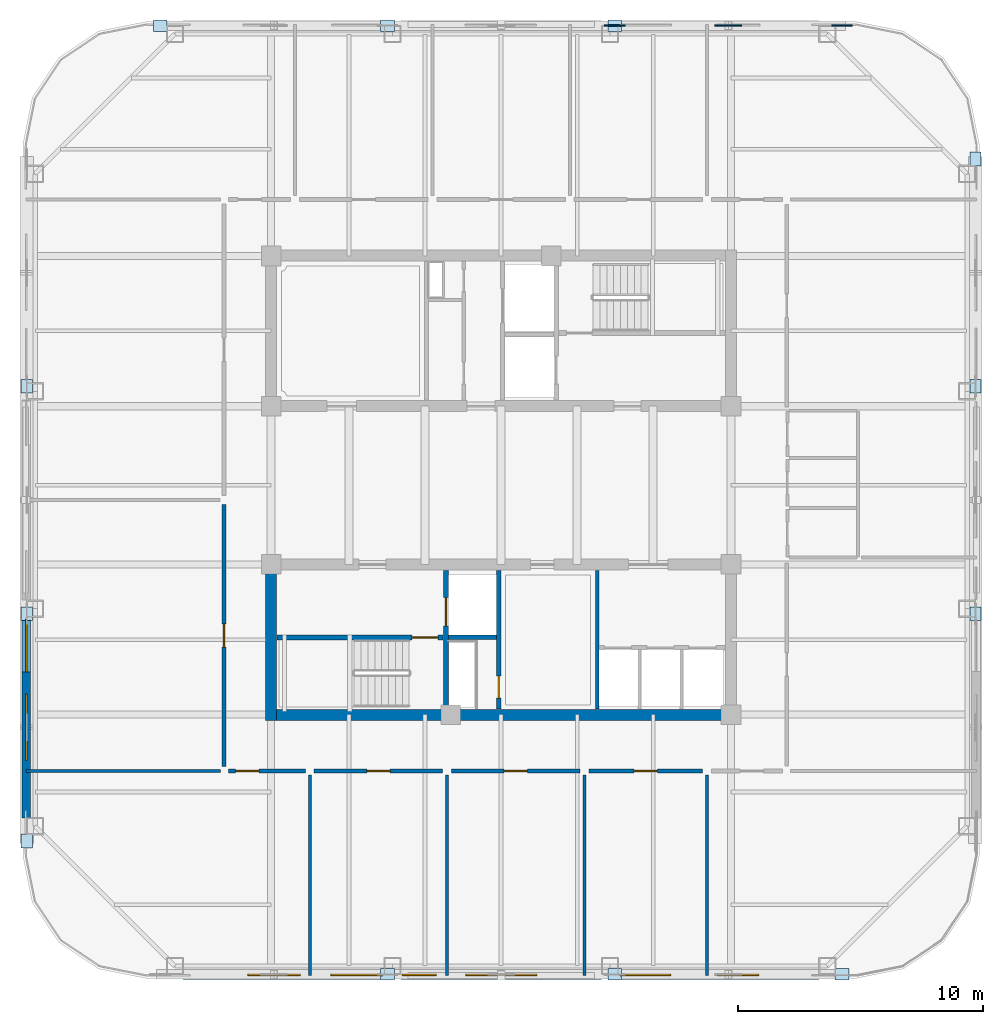
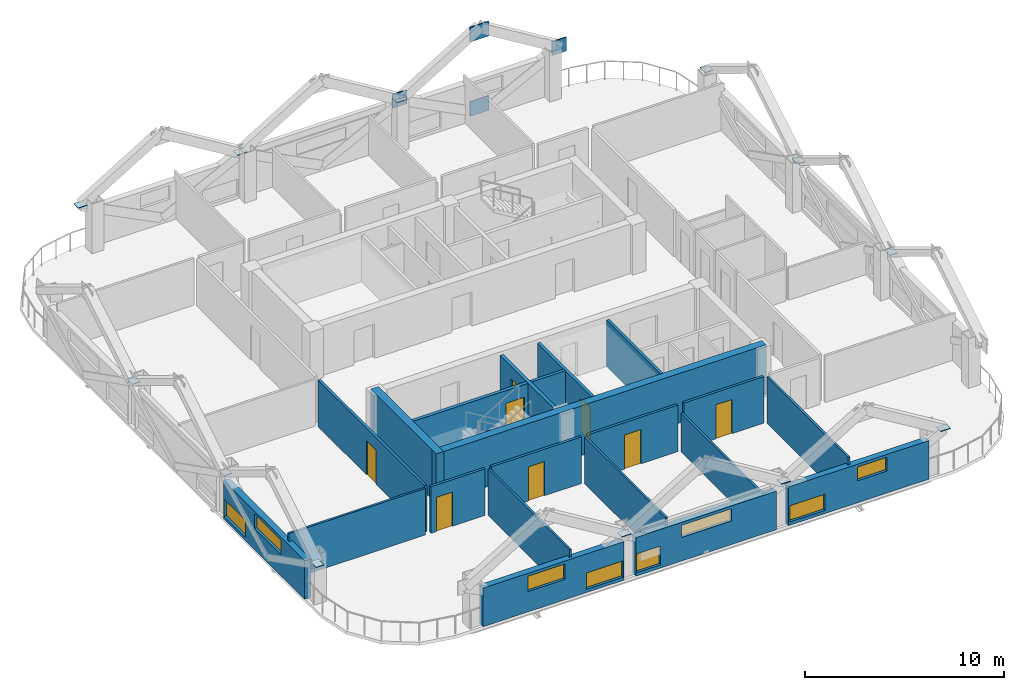
# One storey, part 3 of 9: 21 walls, 16 plates, 8 doors, 8 windows, 16 openings.
"""IFC4 building model written with IfcOpenShell, lengths in metres."""

from ifc_helpers import new_model, si_unit, direction, frame, frame_2d, origin, origin_2d, place, context, subcontext, project, spatial, rectangle, extrude, material, layer, layer_set, type_object, element, fill, save


model = new_model("IFC4")

# Units and contexts
model_context = context("Model", 3, precision=1e-05, world=origin(), true_north=direction((0.0, 1.0)))
body_context = subcontext(model_context, "Body", "Model", "MODEL_VIEW")
ifc_project = project(units=[si_unit("LENGTHUNIT", "METRE"), si_unit("AREAUNIT", "SQUARE_METRE"), si_unit("VOLUMEUNIT", "CUBIC_METRE"), si_unit("PLANEANGLEUNIT", "RADIAN"), si_unit("MASSUNIT", "GRAM", prefix="KILO")], contexts=[model_context])

# Site, building, storey
site_placement = place(None, origin())
site = spatial("IfcSite", under=ifc_project, at=site_placement, CompositionType="ELEMENT")
building_placement = place(site_placement, origin())
building = spatial("IfcBuilding", under=site, at=building_placement, Name="Qhalaya Broadcast Tower", CompositionType="ELEMENT")
storey_placement = place(building_placement, frame((0.0, 0.0, 211.699951171875)))
storey = spatial("IfcBuildingStorey", under=building, at=storey_placement, Name="L62", CompositionType="ELEMENT", Elevation=211.699951171875)

# Plates
ifc_material_1 = material(Name="Structural Steel ASTM A572 Grade 50", Category="steel")
ifc_layer_1 = layer(ifc_material_1, 0.054931640625, Name="Structural Steel ASTM A572 Grade 50")
ifc_layer_set_1 = layer_set([ifc_layer_1], Name="Structural Steel ASTM A572 Grade 50")
plate_type_1 = type_object("IfcPlateType", Name="Exoskeleton Diamond Node Gusset Plate NP-01", PredefinedType="USERDEFINED", material=ifc_layer_set_1)
for number, where, z_axis, x_axis, name in (
    (1, (9.2666015625, 19.340087890625, 0.210205078125), (0.0, 0.0, 1.0), (1.0, 0.0, 0.0), "Exoskeleton Diamond Node B5-N1-BOT"),
    (2, (9.2666015625, 19.340087890625, 4.780029296875), (0.0, 0.0, 1.0), (1.0, 0.0, 0.0), "Exoskeleton Diamond Node B5-N1-TOP"),
):
    element("IfcPlate", number, at=place(storey_placement, frame(where, z_axis=z_axis, x_axis=x_axis)), inside=storey, type_object=plate_type_1, Name=name, ObjectType="GUSSET_PLATE", PredefinedType="USERDEFINED", context=body_context, shape_type="SweptSolid", body=[
        extrude(rectangle(XDim=1.10009765625, YDim=0.054931640625, at=origin_2d()), origin(), (0.0, 0.0, 1.0), 0.89990234375),
    ])
for number, where, z_axis, x_axis, name in (
    (3, (13.89990234375, 19.340087890625, 2.280029296875), (0.0, 0.0, 1.0), (1.0, 0.0, 0.0), "Exoskeleton Diamond Node B5-N1-MDL"),
    (4, (4.63330078125, 19.340087890625, 2.280029296875), (0.0, 0.0, 1.0), (1.0, 0.0, 0.0), "Exoskeleton Diamond Node B5-N2-MDL"),
):
    element("IfcPlate", number, at=place(storey_placement, frame(where, z_axis=z_axis, x_axis=x_axis)), inside=storey, type_object=plate_type_1, Name=name, ObjectType="GUSSET_PLATE", PredefinedType="USERDEFINED", context=body_context, shape_type="SweptSolid", body=[
        extrude(rectangle(XDim=0.85009765625, YDim=0.054931640625, at=origin_2d()), origin(), (0.0, 0.0, 1.0), 0.85009765625),
    ])
ifc_layer_2 = layer(ifc_material_1, 0.4599609375, Name="Structural Steel ASTM A572 Grade 50")
ifc_layer_set_2 = layer_set([ifc_layer_2], Name="Structural Steel ASTM A572 Grade 50")
plate_type_2 = type_object("IfcPlateType", Name="Hollow Box Member End Cap Plate CP-01", PredefinedType="USERDEFINED", material=ifc_layer_set_2)
for number, where, z_axis, x_axis, name in (
    (5, (-4.63330078125, -19.340087890625, 2.68896484375), (0.0, 0.0, 1.0), (1.0, 0.0, 0.0), "Exoskeleton Hollow End Cap B5-S1"),
    (6, (4.63330078125, -19.340087890625, 2.68896484375), (0.0, 0.0, 1.0), (1.0, 0.0, 0.0), "Exoskeleton Hollow End Cap B5-S2"),
    (7, (13.89990234375, -19.340087890625, 2.68896484375), (0.0, 0.0, 1.0), (1.0, 0.0, 0.0), "Exoskeleton Hollow End Cap B5-S3"),
    (8, (19.340087890625, -4.63330078125, 2.68896484375), (0.0, 0.0, 1.0), (0.0, 1.0, 0.0), "Exoskeleton Hollow End Cap B5-E1"),
    (9, (19.340087890625, 4.63330078125, 2.68896484375), (0.0, 0.0, 1.0), (0.0, 1.0, 0.0), "Exoskeleton Hollow End Cap B5-E2"),
    (10, (19.340087890625, 13.89990234375, 2.68896484375), (0.0, 0.0, 1.0), (0.0, 1.0, 0.0), "Exoskeleton Hollow End Cap B5-E3"),
    (11, (4.63330078125, 19.340087890625, 2.68896484375), (0.0, 0.0, 1.0), (1.0, 0.0, 0.0), "Exoskeleton Hollow End Cap B5-N1"),
    (12, (-4.63330078125, 19.340087890625, 2.68896484375), (0.0, 0.0, 1.0), (1.0, 0.0, 0.0), "Exoskeleton Hollow End Cap B5-N2"),
    (13, (-13.89990234375, 19.340087890625, 2.68896484375), (0.0, 0.0, 1.0), (1.0, 0.0, 0.0), "Exoskeleton Hollow End Cap B5-N3"),
    (14, (-19.340087890625, 4.63330078125, 2.68896484375), (0.0, 0.0, 1.0), (0.0, 1.0, 0.0), "Exoskeleton Hollow End Cap B5-W1"),
    (15, (-19.340087890625, -4.63330078125, 2.68896484375), (0.0, 0.0, 1.0), (0.0, 1.0, 0.0), "Exoskeleton Hollow End Cap B5-W2"),
    (16, (-19.340087890625, -13.89990234375, 2.68896484375), (0.0, 0.0, 1.0), (0.0, 1.0, 0.0), "Exoskeleton Hollow End Cap B5-W3"),
):
    element("IfcPlate", number, at=place(storey_placement, frame(where, z_axis=z_axis, x_axis=x_axis)), inside=storey, type_object=plate_type_2, Name=name, ObjectType="COVER_PLATE", PredefinedType="USERDEFINED", context=body_context, shape_type="SweptSolid", body=[
        extrude(rectangle(XDim=0.56005859375, YDim=0.4599609375, at=origin_2d()), origin(), (0.0, 0.0, 1.0), 0.031982421875),
    ])

# Wall
ifc_material_2 = material(Name="Gypsum Acoustic Partition")
ifc_layer_3 = layer(ifc_material_2, 0.14990234375, Name="Gypsum Acoustic Partition")
ifc_layer_set_3 = layer_set([ifc_layer_3], Name="Gypsum Acoustic Partition")
wall_type_1 = type_object("IfcWallType", Name="Corridor & Tenancy Acoustic Partition 150", PredefinedType="PARTITIONING", material=ifc_layer_set_3)
wall_1_placement = place(storey_placement, frame((3.919921875, -8.530029296875, 0.0), z_axis=(0.0, 0.0, 1.0), x_axis=(0.0, 1.0, 0.0)))
element("IfcWall", 17, at=wall_1_placement, inside=storey, type_object=wall_type_1, Name="L62 Partition Wall SCW-HSEP", PredefinedType="PARTITIONING", context=body_context, shape_type="SweptSolid", body=[
    extrude(rectangle(XDim=5.659912109375, YDim=0.14990234375, at=frame_2d((2.830078125, 0.0))), origin(), (0.0, 0.0, 1.0), 2.860107421875),
])

# Wall, opening, door
wall_2_placement = place(storey_placement, frame((-11.1201171875, -11.050048828125, 0.0), z_axis=(0.0, 0.0, 1.0), x_axis=(1.0, 0.0, 0.0)))
wall_2 = element("IfcWall", 18, at=wall_2_placement, inside=storey, type_object=wall_type_1, Name="L62 Partition Wall W-COR-06", PredefinedType="PARTITIONING", context=body_context, shape_type="SweptSolid", body=[
    extrude(rectangle(XDim=3.14013671875, YDim=0.14990234375, at=frame_2d((1.570068359375, 0.0))), origin(), (0.0, 0.0, 1.0), 2.860107421875),
])
opening_1_placement = place(wall_2_placement, frame((0.294921875, 0.0, 0.0)))
opening_1 = element("IfcOpeningElement", 19, at=opening_1_placement, cuts=wall_2, Name="Opening D10", PredefinedType="OPENING", context=body_context, shape_type="SweptSolid", body=[
    extrude(rectangle(XDim=0.949951171875, YDim=2.10009765625, at=frame_2d((0.47509765625, 1.050048828125))), frame((0.0, 0.0869140625, 0.0), z_axis=(0.0, -1.0, 0.0), x_axis=(1.0, 0.0, 0.0)), (0.0, 0.0, 1.0), 0.173828125),
])
ifc_material_3 = material(Name="Timber Veneer Acoustic Door", Category="wood")
door_type_1 = type_object("IfcDoorType", Name="Cellular Office & Edit Booth Door D10", OperationType="NOTDEFINED", PredefinedType="DOOR", material=ifc_material_3)
door_1_placement = place(opening_1_placement, origin())
door_1 = element("IfcDoor", 20, at=door_1_placement, inside=storey, type_object=door_type_1, Name="L62 Door D-RM06", OperationType="SINGLE_SWING_LEFT", OverallHeight=2.10009765625, OverallWidth=0.949951171875, PredefinedType="DOOR", context=body_context, shape_type="SweptSolid", body=[
    extrude(rectangle(XDim=0.949951171875, YDim=2.10009765625, at=frame_2d((0.47509765625, 1.050048828125))), frame((0.0, 0.02490234375, 0.0), z_axis=(0.0, -1.0, 0.0), x_axis=(1.0, 0.0, 0.0)), (0.0, 0.0, 1.0), 0.050048828125),
])
fill(opening_1, door_1)

wall_3_placement = place(storey_placement, frame((-7.6201171875, -11.050048828125, 0.0), z_axis=(0.0, 0.0, 1.0), x_axis=(1.0, 0.0, 0.0)))
wall_3 = element("IfcWall", 21, at=wall_3_placement, inside=storey, type_object=wall_type_1, Name="L62 Partition Wall W-COR-07", PredefinedType="PARTITIONING", context=body_context, shape_type="SweptSolid", body=[
    extrude(rectangle(XDim=5.240234375, YDim=0.14990234375, at=frame_2d((2.6201171875, 0.0))), origin(), (0.0, 0.0, 1.0), 2.860107421875),
])
opening_2_placement = place(wall_3_placement, frame((2.14501953125, 0.0, 0.0)))
opening_2 = element("IfcOpeningElement", 22, at=opening_2_placement, cuts=wall_3, Name="Opening D10", PredefinedType="OPENING", context=body_context, shape_type="SweptSolid", body=[
    extrude(rectangle(XDim=0.949951171875, YDim=2.10009765625, at=frame_2d((0.47509765625, 1.050048828125))), frame((0.0, 0.0869140625, 0.0), z_axis=(0.0, -1.0, 0.0), x_axis=(1.0, 0.0, 0.0)), (0.0, 0.0, 1.0), 0.173828125),
])
door_2_placement = place(opening_2_placement, origin())
door_2 = element("IfcDoor", 23, at=door_2_placement, inside=storey, type_object=door_type_1, Name="L62 Door D-RM07", OperationType="SINGLE_SWING_RIGHT", OverallHeight=2.10009765625, OverallWidth=0.949951171875, PredefinedType="DOOR", context=body_context, shape_type="SweptSolid", body=[
    extrude(rectangle(XDim=0.949951171875, YDim=2.10009765625, at=frame_2d((0.47509765625, 1.050048828125))), frame((0.0, 0.02490234375, 0.0), z_axis=(0.0, -1.0, 0.0), x_axis=(1.0, 0.0, 0.0)), (0.0, 0.0, 1.0), 0.050048828125),
])
fill(opening_2, door_2)

wall_4_placement = place(storey_placement, frame((-2.02001953125, -11.050048828125, 0.0), z_axis=(0.0, 0.0, 1.0), x_axis=(1.0, 0.0, 0.0)))
wall_4 = element("IfcWall", 24, at=wall_4_placement, inside=storey, type_object=wall_type_1, Name="L62 Partition Wall W-COR-08", PredefinedType="PARTITIONING", context=body_context, shape_type="SweptSolid", body=[
    extrude(rectangle(XDim=5.239990234375, YDim=0.14990234375, at=frame_2d((2.6201171875, 0.0))), origin(), (0.0, 0.0, 1.0), 2.860107421875),
])
opening_3_placement = place(wall_4_placement, frame((2.14501953125, 0.0, 0.0)))
opening_3 = element("IfcOpeningElement", 25, at=opening_3_placement, cuts=wall_4, Name="Opening D10", PredefinedType="OPENING", context=body_context, shape_type="SweptSolid", body=[
    extrude(rectangle(XDim=0.949951171875, YDim=2.10009765625, at=frame_2d((0.47509765625, 1.050048828125))), frame((0.0, 0.0869140625, 0.0), z_axis=(0.0, -1.0, 0.0), x_axis=(1.0, 0.0, 0.0)), (0.0, 0.0, 1.0), 0.173828125),
])
door_3_placement = place(opening_3_placement, origin())
door_3 = element("IfcDoor", 26, at=door_3_placement, inside=storey, type_object=door_type_1, Name="L62 Door D-RM08", OperationType="SINGLE_SWING_LEFT", OverallHeight=2.10009765625, OverallWidth=0.949951171875, PredefinedType="DOOR", context=body_context, shape_type="SweptSolid", body=[
    extrude(rectangle(XDim=0.949951171875, YDim=2.10009765625, at=frame_2d((0.47509765625, 1.050048828125))), frame((0.0, 0.02490234375, 0.0), z_axis=(0.0, -1.0, 0.0), x_axis=(1.0, 0.0, 0.0)), (0.0, 0.0, 1.0), 0.050048828125),
])
fill(opening_3, door_3)

wall_5_placement = place(storey_placement, frame((3.580078125, -11.050048828125, 0.0), z_axis=(0.0, 0.0, 1.0), x_axis=(1.0, 0.0, 0.0)))
wall_5 = element("IfcWall", 27, at=wall_5_placement, inside=storey, type_object=wall_type_1, Name="L62 Partition Wall W-COR-09", PredefinedType="PARTITIONING", context=body_context, shape_type="SweptSolid", body=[
    extrude(rectangle(XDim=4.639892578125, YDim=0.14990234375, at=frame_2d((2.31982421875, 0.0))), origin(), (0.0, 0.0, 1.0), 2.860107421875),
])
opening_4_placement = place(wall_5_placement, frame((1.844970703125, 0.0, 0.0)))
opening_4 = element("IfcOpeningElement", 28, at=opening_4_placement, cuts=wall_5, Name="Opening D10", PredefinedType="OPENING", context=body_context, shape_type="SweptSolid", body=[
    extrude(rectangle(XDim=0.949951171875, YDim=2.10009765625, at=frame_2d((0.47509765625, 1.050048828125))), frame((0.0, 0.0869140625, 0.0), z_axis=(0.0, -1.0, 0.0), x_axis=(1.0, 0.0, 0.0)), (0.0, 0.0, 1.0), 0.173828125),
])
door_4_placement = place(opening_4_placement, origin())
door_4 = element("IfcDoor", 29, at=door_4_placement, inside=storey, type_object=door_type_1, Name="L62 Door D-RM09", OperationType="SINGLE_SWING_RIGHT", OverallHeight=2.10009765625, OverallWidth=0.949951171875, PredefinedType="DOOR", context=body_context, shape_type="SweptSolid", body=[
    extrude(rectangle(XDim=0.949951171875, YDim=2.10009765625, at=frame_2d((0.47509765625, 1.050048828125))), frame((0.0, 0.02490234375, 0.0), z_axis=(0.0, -1.0, 0.0), x_axis=(1.0, 0.0, 0.0)), (0.0, 0.0, 1.0), 0.050048828125),
])
fill(opening_4, door_4)

wall_6_placement = place(storey_placement, frame((-11.300048828125, -10.8701171875, 0.0), z_axis=(0.0, 0.0, 1.0), x_axis=(0.0, 1.0, 0.0)))
wall_6 = element("IfcWall", 30, at=wall_6_placement, inside=storey, type_object=wall_type_1, Name="L62 Partition Wall W-COR-11", PredefinedType="PARTITIONING", context=body_context, shape_type="SweptSolid", body=[
    extrude(rectangle(XDim=10.690185546875, YDim=0.14990234375, at=frame_2d((5.34521484375, 0.0))), origin(), (0.0, 0.0, 1.0), 2.860107421875),
])
opening_5_placement = place(wall_6_placement, frame((4.8701171875, 0.0, 0.0)))
opening_5 = element("IfcOpeningElement", 31, at=opening_5_placement, cuts=wall_6, Name="Opening D10", PredefinedType="OPENING", context=body_context, shape_type="SweptSolid", body=[
    extrude(rectangle(XDim=0.949951171875, YDim=2.10009765625, at=frame_2d((0.47509765625, 1.050048828125))), frame((0.0, 0.0869140625, 0.0), z_axis=(0.0, -1.0, 0.0), x_axis=(1.0, 0.0, 0.0)), (0.0, 0.0, 1.0), 0.173828125),
])
door_5_placement = place(opening_5_placement, origin())
door_5 = element("IfcDoor", 32, at=door_5_placement, inside=storey, type_object=door_type_1, Name="L62 Door D-RM11", OperationType="SINGLE_SWING_RIGHT", OverallHeight=2.10009765625, OverallWidth=0.949951171875, PredefinedType="DOOR", context=body_context, shape_type="SweptSolid", body=[
    extrude(rectangle(XDim=0.949951171875, YDim=2.10009765625, at=frame_2d((0.47509765625, 1.050048828125))), frame((0.0, 0.02490234375, 0.0), z_axis=(0.0, -1.0, 0.0), x_axis=(1.0, 0.0, 0.0)), (0.0, 0.0, 1.0), 0.050048828125),
])
fill(opening_5, door_5)

# Wall, openings, windows
ifc_material_4 = material(Name="Precast Concrete C40/50", Category="concrete")
ifc_layer_4 = layer(ifc_material_4, 0.360107421875, Name="Precast Concrete C40/50")
ifc_layer_set_4 = layer_set([ifc_layer_4], Name="Precast Concrete C40/50")
wall_type_2 = type_object("IfcWallType", Name="Insulated Precast Terracotta Exterior Wall 360", PredefinedType="SOLIDWALL", material=ifc_layer_set_4)
wall_7_placement = place(storey_placement, frame((12.9619140625, -19.360107421875, 0.0), z_axis=(0.0, 0.0, 1.0), x_axis=(-1.0, 0.0, 0.0)))
wall_7 = element("IfcWall", 33, at=wall_7_placement, inside=storey, type_object=wall_type_2, Name="L62 Exoskeleton Diagrid Infill Wall S1", PredefinedType="SOLIDWALL", context=body_context, shape_type="SweptSolid", body=[
    extrude(rectangle(XDim=8.1787109375, YDim=0.360107421875, at=frame_2d((4.08935546875, 0.0))), origin(), (0.0, 0.0, 1.0), 2.3740234375),
])
opening_6_placement = place(wall_7_placement, frame((2.449951171875, 0.0, 1.35009765625)))
opening_6 = element("IfcOpeningElement", 34, at=opening_6_placement, cuts=wall_7, Name="Opening W13", PredefinedType="OPENING", context=body_context, shape_type="SweptSolid", body=[
    extrude(rectangle(XDim=1.699951171875, YDim=0.85009765625, at=frame_2d((0.85009765625, 0.425048828125))), frame((0.0, 0.192138671875, 0.0), z_axis=(0.0, -1.0, 0.0), x_axis=(1.0, 0.0, 0.0)), (0.0, 0.0, 1.0), 0.384033203125),
])
opening_7_placement = place(wall_7_placement, frame((6.050048828125, 0.0, 0.199951171875)))
opening_7 = element("IfcOpeningElement", 35, at=opening_7_placement, cuts=wall_7, Name="Opening W13", PredefinedType="OPENING", context=body_context, shape_type="SweptSolid", body=[
    extrude(rectangle(XDim=2.050048828125, YDim=1.0, at=frame_2d((1.02490234375, 0.5))), frame((0.0, 0.192138671875, 0.0), z_axis=(0.0, -1.0, 0.0), x_axis=(1.0, 0.0, 0.0)), (0.0, 0.0, 1.0), 0.384033203125),
])
ifc_material_5 = material(Name="Solar-Control Low-E Triple Glazing", Category="glass")
window_type = type_object("IfcWindowType", Name="Upper-Block Diagrid Infill Window W13", PartitioningType="SINGLE_PANEL", PredefinedType="WINDOW", material=ifc_material_5)
window_1_placement = place(opening_6_placement, origin())
window_1 = element("IfcWindow", 36, at=window_1_placement, inside=storey, type_object=window_type, Name="L62 Diagrid Infill Window W13-S1", OverallHeight=0.85009765625, OverallWidth=1.699951171875, PartitioningType="SINGLE_PANEL", PredefinedType="WINDOW", context=body_context, shape_type="SweptSolid", body=[
    extrude(rectangle(XDim=1.699951171875, YDim=0.85009765625, at=frame_2d((0.85009765625, 0.425048828125))), frame((0.0, 0.030029296875, 0.0), z_axis=(0.0, -1.0, 0.0), x_axis=(1.0, 0.0, 0.0)), (0.0, 0.0, 1.0), 0.06005859375),
])
fill(opening_6, window_1)
window_2_placement = place(opening_7_placement, origin())
window_2 = element("IfcWindow", 37, at=window_2_placement, inside=storey, type_object=window_type, Name="L62 Diagrid Infill Window W13-S2", OverallHeight=1.0, OverallWidth=2.050048828125, PartitioningType="SINGLE_PANEL", PredefinedType="WINDOW", context=body_context, shape_type="SweptSolid", body=[
    extrude(rectangle(XDim=2.050048828125, YDim=1.0, at=frame_2d((1.02490234375, 0.5))), frame((0.0, 0.030029296875, 0.0), z_axis=(0.0, -1.0, 0.0), x_axis=(1.0, 0.0, 0.0)), (0.0, 0.0, 1.0), 0.06005859375),
])
fill(opening_7, window_2)

wall_8_placement = place(storey_placement, frame((4.083251953125, -19.360107421875, 0.0), z_axis=(0.0, 0.0, 1.0), x_axis=(-1.0, 0.0, 0.0)))
wall_8 = element("IfcWall", 38, at=wall_8_placement, inside=storey, type_object=wall_type_2, Name="L62 Exoskeleton Diagrid Infill Wall S2", PredefinedType="SOLIDWALL", context=body_context, shape_type="SweptSolid", body=[
    extrude(rectangle(XDim=8.16650390625, YDim=0.360107421875, at=frame_2d((4.083251953125, 0.0))), origin(), (0.0, 0.0, 1.0), 2.3740234375),
])
opening_8_placement = place(wall_8_placement, frame((2.62109375, 0.0, 1.449951171875)))
opening_8 = element("IfcOpeningElement", 39, at=opening_8_placement, cuts=wall_8, Name="Opening W13", PredefinedType="OPENING", context=body_context, shape_type="SweptSolid", body=[
    extrude(rectangle(XDim=2.89990234375, YDim=0.75, at=frame_2d((1.449951171875, 0.375))), frame((0.0, 0.192138671875, 0.0), z_axis=(0.0, -1.0, 0.0), x_axis=(1.0, 0.0, 0.0)), (0.0, 0.0, 1.0), 0.384033203125),
])
opening_9_placement = place(wall_8_placement, frame((6.720947265625, 0.0, 0.199951171875)))
opening_9 = element("IfcOpeningElement", 40, at=opening_9_placement, cuts=wall_8, Name="Opening W13", PredefinedType="OPENING", context=body_context, shape_type="SweptSolid", body=[
    extrude(rectangle(XDim=1.39990234375, YDim=1.14990234375, at=frame_2d((0.699951171875, 0.574951171875))), frame((0.0, 0.192138671875, 0.0), z_axis=(0.0, -1.0, 0.0), x_axis=(1.0, 0.0, 0.0)), (0.0, 0.0, 1.0), 0.384033203125),
])
window_3_placement = place(opening_8_placement, origin())
window_3 = element("IfcWindow", 41, at=window_3_placement, inside=storey, type_object=window_type, Name="L62 Diagrid Infill Window W13-S3", OverallHeight=0.75, OverallWidth=2.89990234375, PartitioningType="SINGLE_PANEL", PredefinedType="WINDOW", context=body_context, shape_type="SweptSolid", body=[
    extrude(rectangle(XDim=2.89990234375, YDim=0.75, at=frame_2d((1.449951171875, 0.375))), frame((0.0, 0.030029296875, 0.0), z_axis=(0.0, -1.0, 0.0), x_axis=(1.0, 0.0, 0.0)), (0.0, 0.0, 1.0), 0.06005859375),
])
fill(opening_8, window_3)
window_4_placement = place(opening_9_placement, origin())
window_4 = element("IfcWindow", 42, at=window_4_placement, inside=storey, type_object=window_type, Name="L62 Diagrid Infill Window W13-S4", OverallHeight=1.14990234375, OverallWidth=1.39990234375, PartitioningType="SINGLE_PANEL", PredefinedType="WINDOW", context=body_context, shape_type="SweptSolid", body=[
    extrude(rectangle(XDim=1.39990234375, YDim=1.14990234375, at=frame_2d((0.699951171875, 0.574951171875))), frame((0.0, 0.030029296875, 0.0), z_axis=(0.0, -1.0, 0.0), x_axis=(1.0, 0.0, 0.0)), (0.0, 0.0, 1.0), 0.06005859375),
])
fill(opening_9, window_4)

wall_9_placement = place(storey_placement, frame((-4.783203125, -19.360107421875, 0.0), z_axis=(0.0, 0.0, 1.0), x_axis=(-1.0, 0.0, 0.0)))
wall_9 = element("IfcWall", 43, at=wall_9_placement, inside=storey, type_object=wall_type_2, Name="L62 Exoskeleton Diagrid Infill Wall S3", PredefinedType="SOLIDWALL", context=body_context, shape_type="SweptSolid", body=[
    extrude(rectangle(XDim=8.1787109375, YDim=0.360107421875, at=frame_2d((4.08935546875, 0.0))), origin(), (0.0, 0.0, 1.0), 2.3740234375),
])
opening_10_placement = place(wall_9_placement, frame((0.054931640625, 0.0, 0.199951171875)))
opening_10 = element("IfcOpeningElement", 44, at=opening_10_placement, cuts=wall_9, Name="Opening W13", PredefinedType="OPENING", context=body_context, shape_type="SweptSolid", body=[
    extrude(rectangle(XDim=2.10009765625, YDim=1.0, at=frame_2d((1.050048828125, 0.5))), frame((0.0, 0.192138671875, 0.0), z_axis=(0.0, -1.0, 0.0), x_axis=(1.0, 0.0, 0.0)), (0.0, 0.0, 1.0), 0.384033203125),
])
opening_11_placement = place(wall_9_placement, frame((3.405029296875, 0.0, 1.25)))
opening_11 = element("IfcOpeningElement", 45, at=opening_11_placement, cuts=wall_9, Name="Opening W13", PredefinedType="OPENING", context=body_context, shape_type="SweptSolid", body=[
    extrude(rectangle(XDim=2.14990234375, YDim=0.949951171875, at=frame_2d((1.074951171875, 0.47509765625))), frame((0.0, 0.192138671875, 0.0), z_axis=(0.0, -1.0, 0.0), x_axis=(1.0, 0.0, 0.0)), (0.0, 0.0, 1.0), 0.384033203125),
])
window_5_placement = place(opening_10_placement, origin())
window_5 = element("IfcWindow", 46, at=window_5_placement, inside=storey, type_object=window_type, Name="L62 Diagrid Infill Window W13-S5", OverallHeight=1.0, OverallWidth=2.10009765625, PartitioningType="SINGLE_PANEL", PredefinedType="WINDOW", context=body_context, shape_type="SweptSolid", body=[
    extrude(rectangle(XDim=2.10009765625, YDim=1.0, at=frame_2d((1.050048828125, 0.5))), frame((0.0, 0.030029296875, 0.0), z_axis=(0.0, -1.0, 0.0), x_axis=(1.0, 0.0, 0.0)), (0.0, 0.0, 1.0), 0.06005859375),
])
fill(opening_10, window_5)
window_6_placement = place(opening_11_placement, origin())
window_6 = element("IfcWindow", 47, at=window_6_placement, inside=storey, type_object=window_type, Name="L62 Diagrid Infill Window W13-S6", OverallHeight=0.949951171875, OverallWidth=2.14990234375, PartitioningType="SINGLE_PANEL", PredefinedType="WINDOW", context=body_context, shape_type="SweptSolid", body=[
    extrude(rectangle(XDim=2.14990234375, YDim=0.949951171875, at=frame_2d((1.074951171875, 0.47509765625))), frame((0.0, 0.030029296875, 0.0), z_axis=(0.0, -1.0, 0.0), x_axis=(1.0, 0.0, 0.0)), (0.0, 0.0, 1.0), 0.06005859375),
])
fill(opening_11, window_6)

wall_10_placement = place(storey_placement, frame((-19.360107421875, -12.9619140625, 0.0), z_axis=(0.0, 0.0, 1.0), x_axis=(0.0, 1.0, 0.0)))
wall_10 = element("IfcWall", 48, at=wall_10_placement, inside=storey, type_object=wall_type_2, Name="L62 Exoskeleton Diagrid Infill Wall W1", PredefinedType="SOLIDWALL", context=body_context, shape_type="SweptSolid", body=[
    extrude(rectangle(XDim=8.1787109375, YDim=0.360107421875, at=frame_2d((4.08935546875, 0.0))), origin(), (0.0, 0.0, 1.0), 2.3740234375),
])
opening_12_placement = place(wall_10_placement, frame((2.35009765625, 0.0, 1.300048828125)))
opening_12 = element("IfcOpeningElement", 49, at=opening_12_placement, cuts=wall_10, Name="Opening W13", PredefinedType="OPENING", context=body_context, shape_type="SweptSolid", body=[
    extrude(rectangle(XDim=2.699951171875, YDim=0.89990234375, at=frame_2d((1.35009765625, 0.449951171875))), frame((0.0, 0.192138671875, 0.0), z_axis=(0.0, -1.0, 0.0), x_axis=(1.0, 0.0, 0.0)), (0.0, 0.0, 1.0), 0.384033203125),
])
opening_13_placement = place(wall_10_placement, frame((5.949951171875, 0.0, 0.199951171875)))
opening_13 = element("IfcOpeningElement", 50, at=opening_13_placement, cuts=wall_10, Name="Opening W13", PredefinedType="OPENING", context=body_context, shape_type="SweptSolid", body=[
    extrude(rectangle(XDim=2.14990234375, YDim=1.050048828125, at=frame_2d((1.074951171875, 0.52490234375))), frame((0.0, 0.192138671875, 0.0), z_axis=(0.0, -1.0, 0.0), x_axis=(1.0, 0.0, 0.0)), (0.0, 0.0, 1.0), 0.384033203125),
])
window_7_placement = place(opening_12_placement, origin())
window_7 = element("IfcWindow", 51, at=window_7_placement, inside=storey, type_object=window_type, Name="L62 Diagrid Infill Window W13-W1", OverallHeight=0.89990234375, OverallWidth=2.699951171875, PartitioningType="SINGLE_PANEL", PredefinedType="WINDOW", context=body_context, shape_type="SweptSolid", body=[
    extrude(rectangle(XDim=2.699951171875, YDim=0.89990234375, at=frame_2d((1.35009765625, 0.449951171875))), frame((0.0, 0.030029296875, 0.0), z_axis=(0.0, -1.0, 0.0), x_axis=(1.0, 0.0, 0.0)), (0.0, 0.0, 1.0), 0.06005859375),
])
fill(opening_12, window_7)
window_8_placement = place(opening_13_placement, origin())
window_8 = element("IfcWindow", 52, at=window_8_placement, inside=storey, type_object=window_type, Name="L62 Diagrid Infill Window W13-W2", OverallHeight=1.050048828125, OverallWidth=2.14990234375, PartitioningType="SINGLE_PANEL", PredefinedType="WINDOW", context=body_context, shape_type="SweptSolid", body=[
    extrude(rectangle(XDim=2.14990234375, YDim=1.050048828125, at=frame_2d((1.074951171875, 0.52490234375))), frame((0.0, 0.030029296875, 0.0), z_axis=(0.0, -1.0, 0.0), x_axis=(1.0, 0.0, 0.0)), (0.0, 0.0, 1.0), 0.06005859375),
])
fill(opening_13, window_8)

# Wall, opening, door
ifc_material_6 = material(Name="Concrete C50/60", Category="concrete")
ifc_layer_5 = layer(ifc_material_6, 0.199951171875, Name="Concrete C50/60")
ifc_layer_set_5 = layer_set([ifc_layer_5], Name="Concrete C50/60")
wall_type_3 = type_object("IfcWallType", Name="Load-Bearing Stair Shaft Wall 200", PredefinedType="SHEAR", material=ifc_layer_set_5)
wall_11_placement = place(storey_placement, frame((-9.1298828125, -5.60498046875, 0.0), z_axis=(0.0, 0.0, 1.0), x_axis=(1.0, 0.0, 0.0)))
wall_11 = element("IfcWall", 53, at=wall_11_placement, inside=storey, type_object=wall_type_3, Name="L62 Stair Core Shear Wall SCW-ST2", PredefinedType="SHEAR", context=body_context, shape_type="SweptSolid", body=[
    extrude(rectangle(XDim=6.769775390625, YDim=0.199951171875, at=frame_2d((3.384765625, 0.0))), origin(), (0.0, 0.0, 1.0), 2.860107421875),
])
opening_14_placement = place(wall_11_placement, frame((5.5, 0.0, 0.0)))
opening_14 = element("IfcOpeningElement", 54, at=opening_14_placement, cuts=wall_11, Name="Opening D03", PredefinedType="OPENING", context=body_context, shape_type="SweptSolid", body=[
    extrude(rectangle(XDim=1.050048828125, YDim=2.080078125, at=frame_2d((0.52490234375, 1.0400390625))), frame((0.0, 0.112060546875, 0.0), z_axis=(0.0, -1.0, 0.0), x_axis=(1.0, 0.0, 0.0)), (0.0, 0.0, 1.0), 0.223876953125),
])
ifc_material_7 = material(Name="Fire-Rated Steel Door", Category="steel")
door_type_2 = type_object("IfcDoorType", Name="Core Stair Protected Fire Door D03", OperationType="NOTDEFINED", PredefinedType="DOOR", material=ifc_material_7)
door_6_placement = place(opening_14_placement, origin())
door_6 = element("IfcDoor", 55, at=door_6_placement, inside=storey, type_object=door_type_2, Name="L62 Door D-SST2", OperationType="SINGLE_SWING_RIGHT", OverallHeight=2.080078125, OverallWidth=1.050048828125, PredefinedType="DOOR", context=body_context, shape_type="SweptSolid", body=[
    extrude(rectangle(XDim=1.050048828125, YDim=2.080078125, at=frame_2d((0.52490234375, 1.0400390625))), frame((0.0, 0.02490234375, 0.0), z_axis=(0.0, -1.0, 0.0), x_axis=(1.0, 0.0, 0.0)), (0.0, 0.0, 1.0), 0.050048828125),
])
fill(opening_14, door_6)

wall_12_placement = place(storey_placement, frame((-2.25, -8.530029296875, 0.0), z_axis=(0.0, 0.0, 1.0), x_axis=(0.0, 1.0, 0.0)))
wall_12 = element("IfcWall", 56, at=wall_12_placement, inside=storey, type_object=wall_type_3, Name="L62 Stair Core Shear Wall SCW-FF", PredefinedType="SHEAR", context=body_context, shape_type="SweptSolid", body=[
    extrude(rectangle(XDim=5.659912109375, YDim=0.199951171875, at=frame_2d((2.830078125, 0.0))), origin(), (0.0, 0.0, 1.0), 2.860107421875),
])
opening_15_placement = place(wall_12_placement, frame((3.39990234375, 0.0, 0.0)))
opening_15 = element("IfcOpeningElement", 57, at=opening_15_placement, cuts=wall_12, Name="Opening LD2", PredefinedType="OPENING", context=body_context, shape_type="SweptSolid", body=[
    extrude(rectangle(XDim=1.14990234375, YDim=2.080078125, at=frame_2d((0.574951171875, 1.0400390625))), frame((0.0, 0.112060546875, 0.0), z_axis=(0.0, -1.0, 0.0), x_axis=(1.0, 0.0, 0.0)), (0.0, 0.0, 1.0), 0.223876953125),
])
ifc_material_8 = material(Name="Brushed Stainless Steel Lift Door", Category="steel")
door_type_3 = type_object("IfcDoorType", Name="Firefighting Lift Sliding Landing Door LD2", OperationType="DOUBLE_DOOR_SLIDING", PredefinedType="DOOR", material=ifc_material_8)
door_7_placement = place(opening_15_placement, origin())
door_7 = element("IfcDoor", 58, at=door_7_placement, inside=storey, type_object=door_type_3, Name="L62 Door LD-FF2", OperationType="DOUBLE_DOOR_SLIDING", OverallHeight=2.080078125, OverallWidth=1.14990234375, PredefinedType="DOOR", context=body_context, shape_type="SweptSolid", body=[
    extrude(rectangle(XDim=1.14990234375, YDim=2.080078125, at=frame_2d((0.574951171875, 1.0400390625))), frame((0.0, 0.02490234375, 0.0), z_axis=(0.0, -1.0, 0.0), x_axis=(1.0, 0.0, 0.0)), (0.0, 0.0, 1.0), 0.050048828125),
])
fill(opening_15, door_7)

# Walls
ifc_layer_6 = layer(ifc_material_2, 0.1201171875, Name="Gypsum Acoustic Partition")
ifc_layer_set_6 = layer_set([ifc_layer_6], Name="Gypsum Acoustic Partition")
wall_type_4 = type_object("IfcWallType", Name="Office, Booth & Sanitary Partition 120", PredefinedType="PARTITIONING", material=ifc_layer_set_6)
wall_13_placement = place(storey_placement, frame((-19.3798828125, -11.050048828125, 0.0), z_axis=(0.0, 0.0, 1.0), x_axis=(1.0, 0.0, 0.0)))
element("IfcWall", 59, at=wall_13_placement, inside=storey, type_object=wall_type_4, Name="L62 Partition Wall W-BNDW2", PredefinedType="PARTITIONING", context=body_context, shape_type="SweptSolid", body=[
    extrude(rectangle(XDim=7.93994140625, YDim=0.1201171875, at=frame_2d((3.969970703125, 0.0))), origin(), (0.0, 0.0, 1.0), 2.860107421875),
])
for number, where, z_axis, x_axis, name in (
    (60, (-7.800048828125, -19.3798828125, 0.0), (0.0, 0.0, 1.0), (0.0, 1.0, 0.0), "L62 Partition Wall W-DIVS1"),
    (61, (-2.199951171875, -19.3798828125, 0.0), (0.0, 0.0, 1.0), (0.0, 1.0, 0.0), "L62 Partition Wall W-DIVS2"),
):
    element("IfcWall", number, at=place(storey_placement, frame(where, z_axis=z_axis, x_axis=x_axis)), inside=storey, type_object=wall_type_4, Name=name, PredefinedType="PARTITIONING", context=body_context, shape_type="SweptSolid", body=[
        extrude(rectangle(XDim=8.169921875, YDim=0.1201171875, at=frame_2d((4.0849609375, 0.0))), origin(), (0.0, 0.0, 1.0), 2.860107421875),
    ])
wall_14_placement = place(storey_placement, frame((3.39990234375, -19.3798828125, 0.0), z_axis=(0.0, 0.0, 1.0), x_axis=(0.0, 1.0, 0.0)))
element("IfcWall", 62, at=wall_14_placement, inside=storey, type_object=wall_type_4, Name="L62 Partition Wall W-DIVS3", PredefinedType="PARTITIONING", context=body_context, shape_type="SweptSolid", body=[
    extrude(rectangle(XDim=8.169921875, YDim=0.1201171875, at=frame_2d((4.0849609375, 0.0))), origin(), (0.0, 0.0, 1.0), 2.381103515625),
])
wall_15_placement = place(storey_placement, frame((8.39990234375, -19.3798828125, 0.0), z_axis=(0.0, 0.0, 1.0), x_axis=(0.0, 1.0, 0.0)))
element("IfcWall", 63, at=wall_15_placement, inside=storey, type_object=wall_type_4, Name="L62 Partition Wall W-DIVS4", PredefinedType="PARTITIONING", context=body_context, shape_type="SweptSolid", body=[
    extrude(rectangle(XDim=8.169921875, YDim=0.1201171875, at=frame_2d((4.0849609375, 0.0))), origin(), (0.0, 0.0, 1.0), 2.860107421875),
])

# Wall, opening, door
ifc_layer_7 = layer(ifc_material_2, 0.175048828125, Name="Gypsum Acoustic Partition")
ifc_layer_set_7 = layer_set([ifc_layer_7], Name="Gypsum Acoustic Partition")
wall_type_5 = type_object("IfcWallType", Name="Shaft & Riser Fire Partition 175", PredefinedType="PARTITIONING", material=ifc_layer_set_7)
wall_16_placement = place(storey_placement, frame((-0.10009765625, -8.530029296875, 0.0), z_axis=(0.0, 0.0, 1.0), x_axis=(0.0, 1.0, 0.0)))
wall_16 = element("IfcWall", 64, at=wall_16_placement, inside=storey, type_object=wall_type_5, Name="L62 Partition Wall SCW-FFE", PredefinedType="PARTITIONING", context=body_context, shape_type="SweptSolid", body=[
    extrude(rectangle(XDim=5.659912109375, YDim=0.175048828125, at=frame_2d((2.830078125, 0.0))), origin(), (0.0, 0.0, 1.0), 2.860107421875),
])
opening_16_placement = place(wall_16_placement, frame((0.449951171875, 0.0, 0.0)))
opening_16 = element("IfcOpeningElement", 65, at=opening_16_placement, cuts=wall_16, Name="Opening D06", PredefinedType="OPENING", context=body_context, shape_type="SweptSolid", body=[
    extrude(rectangle(XDim=0.89990234375, YDim=2.050048828125, at=frame_2d((0.449951171875, 1.02490234375))), frame((0.0, 0.099609375, 0.0), z_axis=(0.0, -1.0, 0.0), x_axis=(1.0, 0.0, 0.0)), (0.0, 0.0, 1.0), 0.198974609375),
])
door_type_4 = type_object("IfcDoorType", Name="Riser & Electrical Shaft Access Door D06", OperationType="NOTDEFINED", PredefinedType="DOOR", material=ifc_material_7)
door_8_placement = place(opening_16_placement, origin())
door_8 = element("IfcDoor", 66, at=door_8_placement, inside=storey, type_object=door_type_4, Name="L62 Riser Shaft Access Door D-SRSR", OperationType="SINGLE_SWING_LEFT", OverallHeight=2.050048828125, OverallWidth=0.89990234375, PredefinedType="DOOR", context=body_context, shape_type="SweptSolid", body=[
    extrude(rectangle(XDim=0.89990234375, YDim=2.050048828125, at=frame_2d((0.449951171875, 1.02490234375))), frame((0.0, 0.02490234375, 0.0), z_axis=(0.0, -1.0, 0.0), x_axis=(1.0, 0.0, 0.0)), (0.0, 0.0, 1.0), 0.050048828125),
])
fill(opening_16, door_8)

# Walls
wall_17_placement = place(storey_placement, frame((-2.14990234375, -5.60009765625, 0.0), z_axis=(0.0, 0.0, 1.0), x_axis=(1.0, 0.0, 0.0)))
element("IfcWall", 67, at=wall_17_placement, inside=storey, type_object=wall_type_5, Name="L62 Partition Wall SCW-FFM", PredefinedType="PARTITIONING", context=body_context, shape_type="SweptSolid", body=[
    extrude(rectangle(XDim=1.969970703125, YDim=0.175048828125, at=frame_2d((0.98486328125, 0.0))), origin(), (0.0, 0.0, 1.0), 2.860107421875),
])
ifc_layer_8 = layer(ifc_material_6, 0.449951171875, Name="Concrete C50/60")
ifc_layer_set_8 = layer_set([ifc_layer_8], Name="Concrete C50/60")
wall_type_6 = type_object("IfcWallType", Name="Upper Split-Core Shear Wall 450", PredefinedType="SHEAR", material=ifc_layer_set_8)
wall_18_placement = place(storey_placement, frame((-9.60009765625, -8.77490234375, 0.0), z_axis=(0.0, 0.0, 1.0), x_axis=(1.0, 0.0, 0.0)))
element("IfcWall", 68, at=wall_18_placement, inside=storey, type_object=wall_type_6, Name="L62 Split-Core Shear Wall CW-SS", PredefinedType="SHEAR", context=body_context, shape_type="SweptSolid", body=[
    extrude(rectangle(XDim=19.2001953125, YDim=0.449951171875, at=frame_2d((9.60009765625, 0.0))), origin(), (0.0, 0.0, 1.0), 3.050048828125),
])
wall_19_placement = place(storey_placement, frame((-9.375, -9.0, 0.0), z_axis=(0.0, 0.0, 1.0), x_axis=(0.0, 1.0, 0.0)))
element("IfcWall", 69, at=wall_19_placement, inside=storey, type_object=wall_type_6, Name="L62 Split-Core Shear Wall CW-SW", PredefinedType="SHEAR", context=body_context, shape_type="SweptSolid", body=[
    extrude(rectangle(XDim=6.60009765625, YDim=0.449951171875, at=frame_2d((3.300048828125, 0.0))), origin(), (0.0, 0.0, 1.0), 3.050048828125),
])

save(model, "model.ifc")
